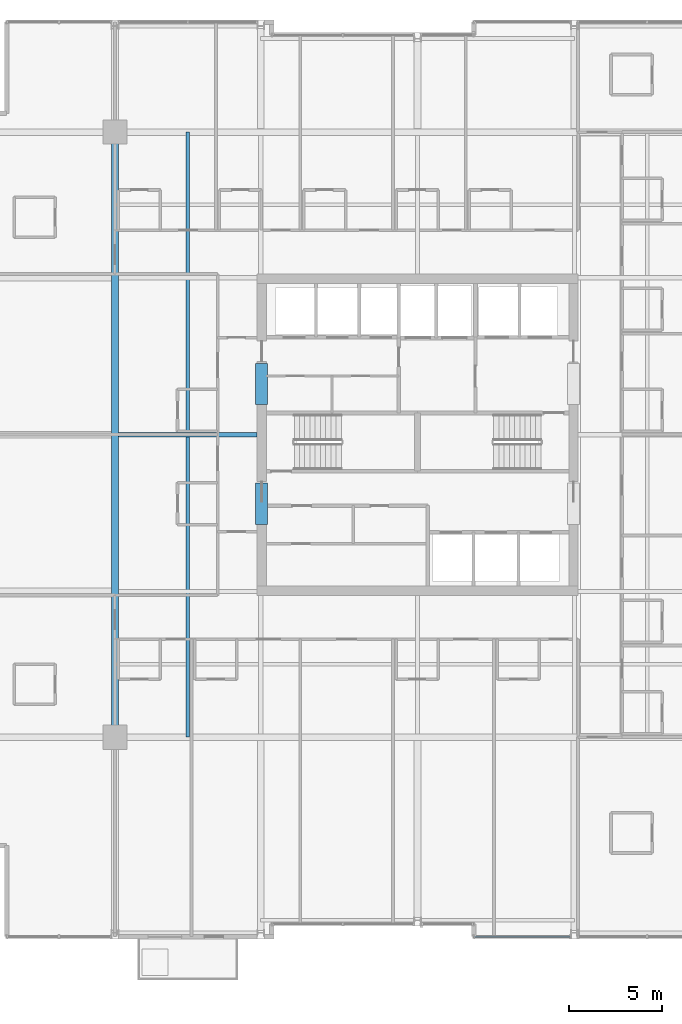
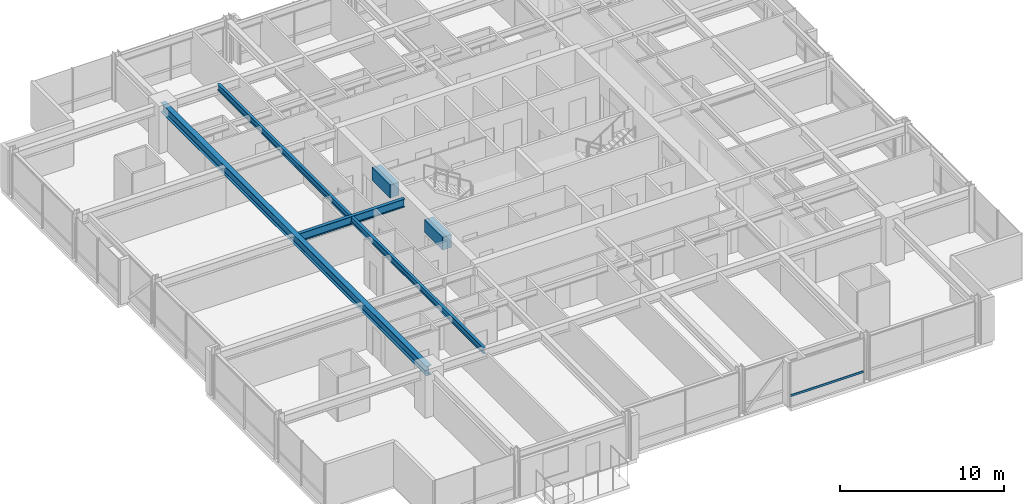
# One storey, part 10 of 33: 5 beams, 1 member, 1 element without a shape of its own.
"""IFC4 building model written with IfcOpenShell, lengths in metres."""

from ifc_helpers import new_model, si_unit, direction, frame, origin, origin_2d, place, context, subcontext, project, spatial, rectangle, hollow_rectangle, i_section, extrude, material, layer, layer_set, material_profile, profile_set, type_object, element, aggregate, save


model = new_model("IFC4")

# Units and contexts
model_context = context("Model", 3, precision=1e-05, world=origin(), true_north=direction((0.0, 1.0)))
body_context = subcontext(model_context, "Body", "Model", "MODEL_VIEW")
ifc_project = project(units=[si_unit("LENGTHUNIT", "METRE"), si_unit("AREAUNIT", "SQUARE_METRE"), si_unit("VOLUMEUNIT", "CUBIC_METRE"), si_unit("PLANEANGLEUNIT", "RADIAN"), si_unit("MASSUNIT", "GRAM", prefix="KILO")], contexts=[model_context])

# Site, building, storey
site_placement = place(None, origin())
site = spatial("IfcSite", under=ifc_project, at=site_placement, CompositionType="ELEMENT")
building_placement = place(site_placement, origin())
building = spatial("IfcBuilding", under=site, at=building_placement, Name="Drelvath Grand Hotel", CompositionType="ELEMENT")
storey_placement = place(building_placement, frame((0.0, 0.0, 153.949951171875)))
storey = spatial("IfcBuildingStorey", under=building, at=storey_placement, Name="L39", CompositionType="ELEMENT", Elevation=153.949951171875)

# Beams
ifc_material_1 = material(Name="Steel ASTM A992 Gr 50", Category="steel")
ifc_material_profile_1 = material_profile(ifc_material_1, i_section(OverallWidth=0.19140625, OverallDepth=0.4599609375, WebThickness=0.010009765625, FlangeThickness=0.01611328125, FilletRadius=0.01611328125, at=origin_2d()), Name="W18X55")
ifc_profile_set_1 = profile_set([ifc_material_profile_1], Name="Steel ASTM A992 Gr 50")
beam_type_1 = type_object("IfcBeamType", Name="Composite Floor Joist W18X55", PredefinedType="JOIST", material=ifc_profile_set_1)
beam_1_placement = place(storey_placement, frame((-12.300048828125, 10.800048828125, 3.06005859375), z_axis=(0.0, 1.0, 0.0), x_axis=(-1.0, 0.0, 0.0)))
element("IfcBeam", 1, at=beam_1_placement, inside=storey, type_object=beam_type_1, Name="L39 Wing Floor Joist J3", PredefinedType="JOIST", context=body_context, shape_type="SweptSolid", body=[
    extrude(i_section(OverallWidth=0.19140625, OverallDepth=0.4599609375, WebThickness=0.010009765625, FlangeThickness=0.01611328125, FilletRadius=0.01611328125, at=origin_2d()), origin(), (0.0, 0.0, 1.0), 32.39990234375),
])
ifc_material_2 = material(Name="Concrete f'c 55 MPa", Category="concrete")
ifc_material_profile_2 = material_profile(ifc_material_2, rectangle(XDim=0.64990234375, YDim=0.949951171875, at=origin_2d()), Name="CB650X950")
ifc_profile_set_2 = profile_set([ifc_material_profile_2], Name="Concrete f'c 55 MPa")
beam_type_2 = type_object("IfcBeamType", Name="Core Coupling Lintel CB650X950", PredefinedType="LINTEL", material=ifc_profile_set_2)
for number, where, z_axis, x_axis, name in (
    (2, (-8.35009765625, 22.199951171875, 2.81494140625), (0.0, 1.0, 0.0), (-1.0, 0.0, 0.0), "L39 Core Coupling Lintel WS"),
    (3, (-8.35009765625, 28.60009765625, 2.81494140625), (0.0, 1.0, 0.0), (-1.0, 0.0, 0.0), "L39 Core Coupling Lintel WN"),
):
    element("IfcBeam", number, at=place(storey_placement, frame(where, z_axis=z_axis, x_axis=x_axis)), inside=storey, type_object=beam_type_2, Name=name, PredefinedType="LINTEL", context=body_context, shape_type="SweptSolid", body=[
        extrude(rectangle(XDim=0.64990234375, YDim=0.949951171875, at=origin_2d()), origin(), (0.0, 0.0, 1.0), 2.199951171875),
    ])

# Curtain wall, member
ifc_material_3 = material(Name="Brushed Pale-Silver Anodised Aluminium Frame", Category="aluminium")
ifc_layer = layer(ifc_material_3, 0.199951171875)
ifc_layer_set = layer_set([ifc_layer], Name="Brushed Pale-Silver Anodised Aluminium Frame")
curtain_wall_type = type_object("IfcCurtainWallType", Name="Stick Curtain Wall CW-04 Brushed Silver Upper-Mid", PredefinedType="NOTDEFINED", material=ifc_layer_set)
curtain_wall_placement = place(storey_placement, origin())
curtain_wall = element("IfcCurtainWall", 4, at=curtain_wall_placement, inside=storey, type_object=curtain_wall_type, Name="L39 CW-04 Curtain Wall CW04-L39-SE1", PredefinedType="NOTDEFINED")
ifc_material_profile_3 = material_profile(ifc_material_3, hollow_rectangle(XDim=0.06494140625, YDim=0.159912109375, WallThickness=0.00390625, at=origin_2d()), Name="HSS160X65X4")
ifc_profile_set_3 = profile_set([ifc_material_profile_3], Name="Brushed Pale-Silver Anodised Aluminium Frame")
member_type = type_object("IfcMemberType", Name="Curtain Wall Horizontal Transom CW-04 HSS160X65X4", PredefinedType="USERDEFINED", material=ifc_profile_set_3)
member_placement = place(storey_placement, frame((8.159912109375, 0.1201171875, 0.822509765625), z_axis=(-1.0, 0.0, 0.0), x_axis=(0.0, -1.0, 0.0)))
member = element("IfcMember", 5, at=member_placement, type_object=member_type, Name="CW04-L39-SE1 Sill Transom", ObjectType="TRANSOM", PredefinedType="USERDEFINED", context=body_context, shape_type="SweptSolid", body=[
    extrude(hollow_rectangle(XDim=0.06494140625, YDim=0.159912109375, WallThickness=0.00390625, at=origin_2d()), origin(), (0.0, 0.0, 1.0), 5.119873046875),
])
aggregate(curtain_wall, [member])

# Beams
ifc_material_profile_4 = material_profile(ifc_material_1, i_section(OverallWidth=0.228271484375, OverallDepth=0.607666015625, WebThickness=0.01123046875, FlangeThickness=0.017333984375, FilletRadius=0.02001953125, at=origin_2d()), Name="W24X76")
ifc_profile_set_4 = profile_set([ifc_material_profile_4], Name="Steel ASTM A992 Gr 50")
beam_type_3 = type_object("IfcBeamType", Name="Primary Floor Girder W24X76", PredefinedType="BEAM", material=ifc_profile_set_4)
beam_2_placement = place(storey_placement, frame((-16.022705078125, 27.0, 2.986328125), z_axis=(1.0, 0.0, 0.0), x_axis=(0.0, 1.0, 0.0)))
element("IfcBeam", 6, at=beam_2_placement, inside=storey, type_object=beam_type_3, Name="L39 West Core Tie E", PredefinedType="BEAM", context=body_context, shape_type="SweptSolid", body=[
    extrude(i_section(OverallWidth=0.228271484375, OverallDepth=0.607666015625, WebThickness=0.01123046875, FlangeThickness=0.017333984375, FilletRadius=0.02001953125, at=origin_2d()), origin(), (0.0, 0.0, 1.0), 7.422607421875),
])
ifc_material_profile_5 = material_profile(ifc_material_1, i_section(OverallWidth=0.354736328125, OverallDepth=0.695556640625, WebThickness=0.015380859375, FlangeThickness=0.025146484375, FilletRadius=0.02392578125, at=origin_2d()), Name="W27X146")
ifc_profile_set_5 = profile_set([ifc_material_profile_5], Name="Steel ASTM A992 Gr 50")
beam_type_4 = type_object("IfcBeamType", Name="Primary Floor Girder W27X146", PredefinedType="BEAM", material=ifc_profile_set_5)
beam_3_placement = place(storey_placement, frame((-16.199951171875, 10.800048828125, 2.9423828125), z_axis=(0.0, 1.0, 0.0), x_axis=(-1.0, 0.0, 0.0)))
element("IfcBeam", 7, at=beam_3_placement, inside=storey, type_object=beam_type_4, Name="L39 Mega Ring Girder West", PredefinedType="BEAM", context=body_context, shape_type="SweptSolid", body=[
    extrude(i_section(OverallWidth=0.354736328125, OverallDepth=0.695556640625, WebThickness=0.015380859375, FlangeThickness=0.025146484375, FilletRadius=0.02392578125, at=origin_2d()), origin(), (0.0, 0.0, 1.0), 32.39990234375),
])

save(model, "model.ifc")
